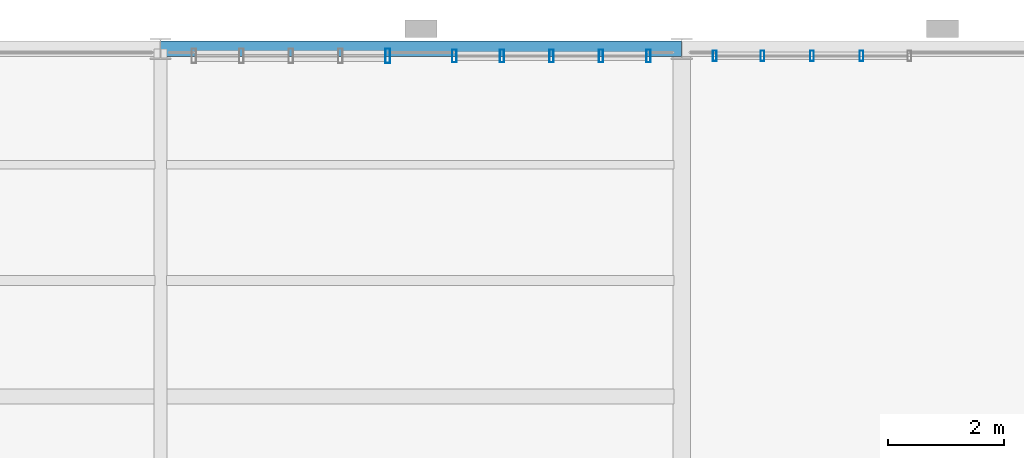
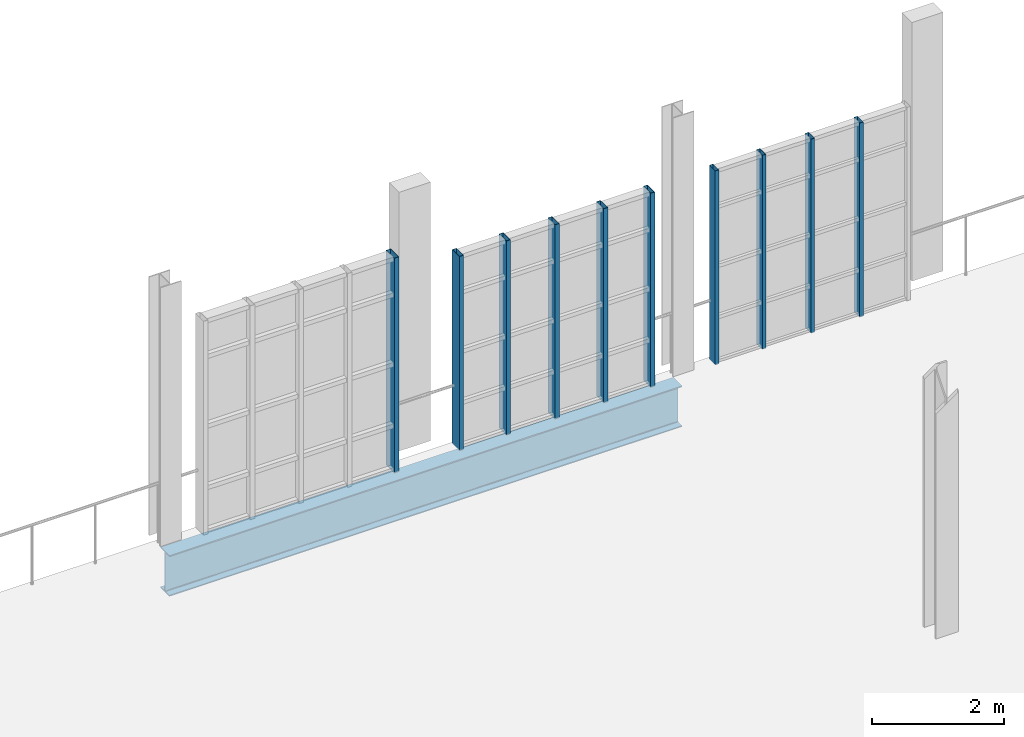
# One storey, part 52 of 122: 10 members, 1 beam, 3 elements without a shape of their own.
"""IFC4 building model written with IfcOpenShell, lengths in metres."""

import ifcopenshell
import ifcopenshell.guid

model = None  # the IFC model being written
_history = None  # IfcOwnerHistory: only IFC2X3 demands one
_inside = {}  # id of a spatial element -> (the spatial element, [elements in it])
_under = {}  # id of a project, library or spatial element -> (it, [spatial elements below it])
_declared = {}  # id of a project -> (the project, [libraries it declares])
_typed = {}  # id of a type object -> (the type object, [elements of that type])
_made_of = {}  # id of a material, layer set ... -> (it, [elements and type objects made of it])


def new_model(schema):
    """Start an empty IFC model of exactly this schema.

    Asked for "IFC4X3", IfcOpenShell would pick the latest addendum, in which some entities
    have other attributes; the version numbers below select the first issue.
    IFC2X3 requires an IfcOwnerHistory on every rooted entity: one is made here for all.
    """
    global model, _history
    if schema == "IFC4X3":
        model = ifcopenshell.file(schema_version=(4, 3, 0, 0))
    else:
        model = ifcopenshell.file(schema=schema)
    _inside.clear()
    _under.clear()
    _declared.clear()
    _typed.clear()
    _made_of.clear()
    _history = None
    if model.schema == "IFC2X3":
        org = make("IfcOrganization", Name="unknown")
        user = make(
            "IfcPersonAndOrganization",
            ThePerson=make("IfcPerson", FamilyName="unknown"),
            TheOrganization=org,
        )
        app = make(
            "IfcApplication",
            ApplicationDeveloper=org,
            Version="unknown",
            ApplicationFullName="unknown",
            ApplicationIdentifier="unknown",
        )
        _history = make(
            "IfcOwnerHistory",
            OwningUser=user,
            OwningApplication=app,
            ChangeAction="ADDED",
            CreationDate=0,
        )
    return model


def make(cls, **values):
    """One entity of the class cls with the attributes given. An attribute that is None is left unset."""
    return model.create_entity(
        cls, **{name: value for name, value in values.items() if value is not None}
    )


def rooted(cls, **values):
    """An entity with a GlobalId (a new one), such as an element, a storey or a relation."""
    return make(cls, GlobalId=ifcopenshell.guid.new(), OwnerHistory=_history, **values)


def si_unit(unit_type, name, prefix=None):
    """IfcSIUnit, for example si_unit("LENGTHUNIT", "METRE", prefix="MILLI")."""
    return make("IfcSIUnit", UnitType=unit_type, Prefix=prefix, Name=name)


def assignment(units):
    """IfcUnitAssignment: the units of a project."""
    return None if units is None else make("IfcUnitAssignment", Units=units)


def point(xyz):
    """IfcCartesianPoint."""
    return None if xyz is None else make("IfcCartesianPoint", Coordinates=xyz)


def direction(xyz):
    """IfcDirection."""
    return None if xyz is None else make("IfcDirection", DirectionRatios=xyz)


def frame(location, z_axis=None, x_axis=None):
    """IfcAxis2Placement3D, a coordinate frame: its origin and axes. An axis left out is left unset."""
    return make(
        "IfcAxis2Placement3D",
        Location=point(location),
        Axis=direction(z_axis),
        RefDirection=direction(x_axis),
    )


def frame_2d(location, x_axis=None):
    """IfcAxis2Placement2D, a coordinate frame in the plane: its origin and x axis."""
    return make(
        "IfcAxis2Placement2D", Location=point(location), RefDirection=direction(x_axis)
    )


def origin():
    """The frame at (0, 0, 0) with its axes left unset."""
    return frame((0.0, 0.0, 0.0))


def origin_2d():
    """The frame at (0, 0) in the plane with its x axis left unset."""
    return frame_2d((0.0, 0.0))


def place(relative_to, where):
    """IfcLocalPlacement: puts the frame where relative to a parent placement (None: the world)."""
    return make(
        "IfcLocalPlacement", PlacementRelTo=relative_to, RelativePlacement=where
    )


def context(
    kind, dimensions, precision=None, world=None, true_north=None, identifier=None
):
    """IfcGeometricRepresentationContext, for example the 3D "Model" context."""
    return make(
        "IfcGeometricRepresentationContext",
        ContextIdentifier=identifier,
        ContextType=kind,
        CoordinateSpaceDimension=dimensions,
        Precision=precision,
        WorldCoordinateSystem=world,
        TrueNorth=true_north,
    )


def subcontext(parent, identifier, kind, view, scale=None):
    """IfcGeometricRepresentationSubContext, for example "Body" below "Model"."""
    return make(
        "IfcGeometricRepresentationSubContext",
        ContextIdentifier=identifier,
        ContextType=kind,
        ParentContext=parent,
        TargetScale=scale,
        TargetView=view,
    )


def project(units=None, contexts=None):
    """IfcProject with its units and contexts."""
    return rooted(
        "IfcProject",
        Name="project",
        RepresentationContexts=contexts,
        UnitsInContext=assignment(units),
    )


def spatial(cls, under=None, at=None, **own):
    """A site, building, storey or space (cls), placed at a placement, below another one or the project."""
    s = rooted(cls, ObjectPlacement=at, **own)
    if under is not None:
        _under.setdefault(under.id(), (under, []))[1].append(s)
    return s


def profile(cls, at=None, kind="AREA", **sizes):
    """A parametric profile (cls). Its sizes go by their IFC names, for example OverallWidth=200.0."""
    return make(cls, ProfileType=kind, Position=at, **sizes)


def hollow_rectangle(**sizes):
    """IfcRectangleHollowProfileDef."""
    return profile("IfcRectangleHollowProfileDef", **sizes)


def i_section(**sizes):
    """IfcIShapeProfileDef."""
    return profile("IfcIShapeProfileDef", **sizes)


def extrude(swept, where, along, depth):
    """IfcExtrudedAreaSolid: the profile swept, set in the frame where, extruded along a direction by depth."""
    return make(
        "IfcExtrudedAreaSolid",
        SweptArea=swept,
        Position=where,
        ExtrudedDirection=direction(along),
        Depth=depth,
    )


def shape(context_of_items, identifier, shape_type, items):
    """IfcShapeRepresentation: the items that make up one representation, for example the "Body"."""
    return make(
        "IfcShapeRepresentation",
        ContextOfItems=context_of_items,
        RepresentationIdentifier=identifier,
        RepresentationType=shape_type,
        Items=items,
    )


def material(Name=None, Category=None):
    """IfcMaterial."""
    return make("IfcMaterial", Name=Name, Category=Category)


def layer(
    of_material, thickness, ventilated=None, Name=None, Category=None, Priority=None
):
    """IfcMaterialLayer: one layer of a wall or slab, of a material (None: an air gap)."""
    return make(
        "IfcMaterialLayer",
        Material=of_material,
        LayerThickness=thickness,
        IsVentilated=ventilated,
        Name=Name,
        Category=Category,
        Priority=Priority,
    )


def layer_set(layers, Name=None):
    """IfcMaterialLayerSet."""
    return make("IfcMaterialLayerSet", MaterialLayers=layers, LayerSetName=Name)


def material_profile(
    of_material, cross_section, Name=None, Category=None, Priority=None
):
    """IfcMaterialProfile: a cross section and its material."""
    return make(
        "IfcMaterialProfile",
        Name=Name,
        Material=of_material,
        Profile=cross_section,
        Priority=Priority,
        Category=Category,
    )


def profile_set(profiles, Name=None, composite=None):
    """IfcMaterialProfileSet."""
    return make(
        "IfcMaterialProfileSet",
        Name=Name,
        MaterialProfiles=profiles,
        CompositeProfile=composite,
    )


def made_of(thing, what):
    """Note that an element or type object is made of a material, layer set ...; save() writes the relation."""
    if what is not None:
        _made_of.setdefault(what.id(), (what, []))[1].append(thing)
    return thing


def type_object(cls, material=None, **own):
    """A type object (cls), such as IfcWallType, which elements share."""
    return made_of(rooted(cls, **own), material)


def element(
    cls,
    number,
    at=None,
    inside=None,
    cuts=None,
    type_object=None,
    material=None,
    context=None,
    identifier="Body",
    shape_type=None,
    held_by="IfcProductDefinitionShape",
    body=None,
    shapes=None,
    **own,
):
    """One element of the class cls, such as IfcWall. Its Tag is "e" and its number.

    at: its placement. inside: the storey or other place that contains it. cuts: it is an
    opening in that element (IfcRelVoidsElement). A single representation is given by context,
    identifier, shape_type and body (its items); several are given by shapes. held_by: the class
    of the entity that holds the representations. save() writes the other relations.
    """
    e = rooted(cls, Tag="e%d" % number, ObjectPlacement=at, **own)
    if body is not None:
        shapes = [shape(context, identifier, shape_type, body)]
    if shapes is not None:
        e.Representation = make(held_by, Representations=shapes)
    if inside is not None:
        _inside.setdefault(inside.id(), (inside, []))[1].append(e)
    if cuts is not None:
        rooted(
            "IfcRelVoidsElement", RelatingBuildingElement=cuts, RelatedOpeningElement=e
        )
    if type_object is not None:
        _typed.setdefault(type_object.id(), (type_object, []))[1].append(e)
    return made_of(e, material)


def aggregate(whole, parts):
    """IfcRelAggregates: a whole, such as a stair, and the parts it consists of."""
    return rooted("IfcRelAggregates", RelatingObject=whole, RelatedObjects=parts)


def save(model, path):
    """Write the relations noted so far, then the file.

    IfcRelAggregates (storeys below a building ...), IfcRelContainedInSpatialStructure (elements
    in a storey), IfcRelDefinesByType, IfcRelAssociatesMaterial and IfcRelDeclares: one each for
    every whole, place, type object, material and project.
    """
    for whole, parts in _under.values():
        aggregate(whole, parts)
    for where, things in _inside.values():
        rooted(
            "IfcRelContainedInSpatialStructure",
            RelatedElements=things,
            RelatingStructure=where,
        )
    for kind, things in _typed.values():
        rooted("IfcRelDefinesByType", RelatedObjects=things, RelatingType=kind)
    for what, things in _made_of.values():
        rooted("IfcRelAssociatesMaterial", RelatedObjects=things, RelatingMaterial=what)
    for by, libraries in _declared.values():
        rooted("IfcRelDeclares", RelatingContext=by, RelatedDefinitions=libraries)
    model.write(path)


model = new_model("IFC4")

# Units and contexts
model_context = context("Model", 3, precision=1e-05, world=origin(), true_north=direction((0.0, 1.0)))
body_context = subcontext(model_context, "Body", "Model", "MODEL_VIEW")
ifc_project = project(units=[si_unit("LENGTHUNIT", "METRE"), si_unit("AREAUNIT", "SQUARE_METRE"), si_unit("VOLUMEUNIT", "CUBIC_METRE"), si_unit("PLANEANGLEUNIT", "RADIAN"), si_unit("MASSUNIT", "GRAM", prefix="KILO"), si_unit("THERMODYNAMICTEMPERATUREUNIT", "KELVIN"), si_unit("POWERUNIT", "WATT")], contexts=[model_context])

# Site, building, storey
site_placement = place(None, origin())
site = spatial("IfcSite", under=ifc_project, at=site_placement, CompositionType="ELEMENT")
building_placement = place(site_placement, origin())
building = spatial("IfcBuilding", under=site, at=building_placement, Name="Zelmaris Science Centre", CompositionType="ELEMENT")
storey_placement = place(building_placement, frame((0.0, 0.0, 10.800048828125)))
storey = spatial("IfcBuildingStorey", under=building, at=storey_placement, Name="L02", CompositionType="ELEMENT", Elevation=10.800048828125)

# Curtain wall, members
ifc_material_1 = material(Name="Anodised architectural aluminium 6063-T6", Category="aluminium")
ifc_layer_1 = layer(ifc_material_1, 0.2099609375, Name="Anodised architectural aluminium 6063-T6")
ifc_layer_set_1 = layer_set([ifc_layer_1], Name="Anodised architectural aluminium 6063-T6")
curtain_wall_type_1 = type_object("IfcCurtainWallType", Name="Curtain Wall CW-03", PredefinedType="USERDEFINED", material=ifc_layer_set_1)
curtain_wall_1_placement = place(storey_placement, origin())
curtain_wall_1 = element("IfcCurtainWall", 1, at=curtain_wall_1_placement, inside=storey, type_object=curtain_wall_type_1, Name="L02 Unitised curtain wall 215", ObjectType="GLAZED CURTAIN WALL", PredefinedType="USERDEFINED")
ifc_material_profile_1 = material_profile(ifc_material_1, hollow_rectangle(XDim=0.06494140625, YDim=0.179931640625, WallThickness=0.00390625, at=origin_2d()), Name="ALU-MUL-65X180")
ifc_profile_set_1 = profile_set([ifc_material_profile_1], Name="Anodised architectural aluminium 6063-T6")
member_type_1 = type_object("IfcMemberType", Name="ALU-MUL-65X180", PredefinedType="MULLION", material=ifc_profile_set_1)
member_1_placement = place(storey_placement, frame((99.568603515625, 87.8798828125, -0.01513671875), z_axis=(0.0, 0.0, 1.0), x_axis=(1.0, 0.0, 0.0)))
member_1 = element("IfcMember", 2, at=member_1_placement, type_object=member_type_1, Name="CW-03 mullion 1", PredefinedType="MULLION", context=body_context, shape_type="SweptSolid", body=[
    extrude(hollow_rectangle(XDim=0.06494140625, YDim=0.179931640625, WallThickness=0.00390625, at=origin_2d()), origin(), (0.0, 0.0, 1.0), 3.60107421875),
])
member_2_placement = place(storey_placement, frame((100.39501953125, 87.8798828125, -0.01513671875), z_axis=(0.0, 0.0, 1.0), x_axis=(1.0, 0.0, 0.0)))
member_2 = element("IfcMember", 3, at=member_2_placement, type_object=member_type_1, Name="CW-03 mullion 2", PredefinedType="MULLION", context=body_context, shape_type="SweptSolid", body=[
    extrude(hollow_rectangle(XDim=0.06494140625, YDim=0.179931640625, WallThickness=0.00390625, at=origin_2d()), origin(), (0.0, 0.0, 1.0), 3.60107421875),
])
member_3_placement = place(storey_placement, frame((101.25, 87.8798828125, -0.01513671875), z_axis=(0.0, 0.0, 1.0), x_axis=(1.0, 0.0, 0.0)))
member_3 = element("IfcMember", 4, at=member_3_placement, type_object=member_type_1, Name="CW-03 mullion 3", PredefinedType="MULLION", context=body_context, shape_type="SweptSolid", body=[
    extrude(hollow_rectangle(XDim=0.06494140625, YDim=0.179931640625, WallThickness=0.00390625, at=origin_2d()), origin(), (0.0, 0.0, 1.0), 3.60107421875),
])
member_4_placement = place(storey_placement, frame((102.10498046875, 87.8798828125, -0.01513671875), z_axis=(0.0, 0.0, 1.0), x_axis=(1.0, 0.0, 0.0)))
member_4 = element("IfcMember", 5, at=member_4_placement, type_object=member_type_1, Name="CW-03 mullion 4", PredefinedType="MULLION", context=body_context, shape_type="SweptSolid", body=[
    extrude(hollow_rectangle(XDim=0.06494140625, YDim=0.179931640625, WallThickness=0.00390625, at=origin_2d()), origin(), (0.0, 0.0, 1.0), 3.60107421875),
])
aggregate(curtain_wall_1, [member_1, member_2, member_3, member_4])

ifc_layer_2 = layer(ifc_material_1, 0.199951171875, Name="Anodised architectural aluminium 6063-T6")
ifc_layer_set_2 = layer_set([ifc_layer_2], Name="Anodised architectural aluminium 6063-T6")
curtain_wall_type_2 = type_object("IfcCurtainWallType", Name="Curtain Wall CW-02", PredefinedType="USERDEFINED", material=ifc_layer_set_2)
curtain_wall_2_placement = place(storey_placement, origin())
curtain_wall_2 = element("IfcCurtainWall", 6, at=curtain_wall_2_placement, inside=storey, type_object=curtain_wall_type_2, Name="L02 Unitised curtain wall 214", ObjectType="GLAZED CURTAIN WALL", PredefinedType="USERDEFINED")
ifc_material_profile_2 = material_profile(ifc_material_1, hollow_rectangle(XDim=0.074951171875, YDim=0.219970703125, WallThickness=0.0048828125, at=origin_2d()), Name="ALU-MUL-75X220")
ifc_profile_set_2 = profile_set([ifc_material_profile_2], Name="Anodised architectural aluminium 6063-T6")
member_type_2 = type_object("IfcMemberType", Name="ALU-MUL-75X220", PredefinedType="MULLION", material=ifc_profile_set_2)
member_5_placement = place(storey_placement, frame((95.073486328125, 87.8798828125, -0.01513671875), z_axis=(0.0, 0.0, 1.0), x_axis=(1.0, 0.0, 0.0)))
member_5 = element("IfcMember", 7, at=member_5_placement, type_object=member_type_2, Name="CW-02 mullion 1", PredefinedType="MULLION", context=body_context, shape_type="SweptSolid", body=[
    extrude(hollow_rectangle(XDim=0.074951171875, YDim=0.219970703125, WallThickness=0.0048828125, at=origin_2d()), origin(), (0.0, 0.0, 1.0), 3.60107421875),
])
member_6_placement = place(storey_placement, frame((95.89501953125, 87.8798828125, -0.01513671875), z_axis=(0.0, 0.0, 1.0), x_axis=(1.0, 0.0, 0.0)))
member_6 = element("IfcMember", 8, at=member_6_placement, type_object=member_type_2, Name="CW-02 mullion 2", PredefinedType="MULLION", context=body_context, shape_type="SweptSolid", body=[
    extrude(hollow_rectangle(XDim=0.074951171875, YDim=0.219970703125, WallThickness=0.0048828125, at=origin_2d()), origin(), (0.0, 0.0, 1.0), 3.60107421875),
])
member_7_placement = place(storey_placement, frame((96.75, 87.8798828125, -0.01513671875), z_axis=(0.0, 0.0, 1.0), x_axis=(1.0, 0.0, 0.0)))
member_7 = element("IfcMember", 9, at=member_7_placement, type_object=member_type_2, Name="CW-02 mullion 3", PredefinedType="MULLION", context=body_context, shape_type="SweptSolid", body=[
    extrude(hollow_rectangle(XDim=0.074951171875, YDim=0.219970703125, WallThickness=0.0048828125, at=origin_2d()), origin(), (0.0, 0.0, 1.0), 3.60107421875),
])
member_8_placement = place(storey_placement, frame((97.60498046875, 87.8798828125, -0.01513671875), z_axis=(0.0, 0.0, 1.0), x_axis=(1.0, 0.0, 0.0)))
member_8 = element("IfcMember", 10, at=member_8_placement, type_object=member_type_2, Name="CW-02 mullion 4", PredefinedType="MULLION", context=body_context, shape_type="SweptSolid", body=[
    extrude(hollow_rectangle(XDim=0.074951171875, YDim=0.219970703125, WallThickness=0.0048828125, at=origin_2d()), origin(), (0.0, 0.0, 1.0), 3.60107421875),
])
member_9_placement = place(storey_placement, frame((98.426513671875, 87.8798828125, -0.01513671875), z_axis=(0.0, 0.0, 1.0), x_axis=(1.0, 0.0, 0.0)))
member_9 = element("IfcMember", 11, at=member_9_placement, type_object=member_type_2, Name="CW-02 mullion 5", PredefinedType="MULLION", context=body_context, shape_type="SweptSolid", body=[
    extrude(hollow_rectangle(XDim=0.074951171875, YDim=0.219970703125, WallThickness=0.0048828125, at=origin_2d()), origin(), (0.0, 0.0, 1.0), 3.60107421875),
])
aggregate(curtain_wall_2, [member_5, member_6, member_7, member_8, member_9])

# Curtain wall, member
ifc_layer_3 = layer(ifc_material_1, 0.18994140625, Name="Anodised architectural aluminium 6063-T6")
ifc_layer_set_3 = layer_set([ifc_layer_3], Name="Anodised architectural aluminium 6063-T6")
curtain_wall_type_3 = type_object("IfcCurtainWallType", Name="Curtain Wall CW-01", PredefinedType="USERDEFINED", material=ifc_layer_set_3)
curtain_wall_3_placement = place(storey_placement, origin())
curtain_wall_3 = element("IfcCurtainWall", 12, at=curtain_wall_3_placement, inside=storey, type_object=curtain_wall_type_3, Name="L02 Unitised curtain wall 213", ObjectType="GLAZED CURTAIN WALL", PredefinedType="USERDEFINED")
ifc_material_profile_3 = material_profile(ifc_material_1, hollow_rectangle(XDim=0.080078125, YDim=0.25, WallThickness=0.0048828125, at=origin_2d()), Name="ALU-MUL-80X250")
ifc_profile_set_3 = profile_set([ifc_material_profile_3], Name="Anodised architectural aluminium 6063-T6")
member_type_3 = type_object("IfcMemberType", Name="ALU-MUL-80X250", PredefinedType="MULLION", material=ifc_profile_set_3)
member_10_placement = place(storey_placement, frame((93.924072265625, 87.8798828125, -0.01513671875), z_axis=(0.0, 0.0, 1.0), x_axis=(1.0, 0.0, 0.0)))
member_10 = element("IfcMember", 13, at=member_10_placement, type_object=member_type_3, Name="CW-01 mullion 5", PredefinedType="MULLION", context=body_context, shape_type="SweptSolid", body=[
    extrude(hollow_rectangle(XDim=0.080078125, YDim=0.25, WallThickness=0.0048828125, at=origin_2d()), origin(), (0.0, 0.0, 1.0), 3.982177734375),
])
aggregate(curtain_wall_3, [member_10])

# Beam
ifc_material_2 = material(Name="Steel ASTM A992 Grade 50", Category="steel")
ifc_material_profile_4 = material_profile(ifc_material_2, i_section(OverallWidth=0.26708984375, OverallDepth=0.757080078125, WebThickness=0.013916015625, FlangeThickness=0.019287109375, FilletRadius=0.01904296875, at=origin_2d()), Name="W30X108")
ifc_profile_set_4 = profile_set([ifc_material_profile_4], Name="Steel ASTM A992 Grade 50")
beam_type = type_object("IfcBeamType", Name="Beam G-10 W30X108", PredefinedType="BEAM", material=ifc_profile_set_4)
beam_placement = place(storey_placement, frame((90.0, 88.0, -0.638427734375), z_axis=(1.0, 0.0, 0.0), x_axis=(0.0, 1.0, 0.0)))
element("IfcBeam", 14, at=beam_placement, inside=storey, type_object=beam_type, Name="L02 East-west girder 594", PredefinedType="BEAM", context=body_context, shape_type="SweptSolid", body=[
    extrude(i_section(OverallWidth=0.26708984375, OverallDepth=0.757080078125, WebThickness=0.013916015625, FlangeThickness=0.019287109375, FilletRadius=0.01904296875, at=origin_2d()), origin(), (0.0, 0.0, 1.0), 9.0),
])

save(model, "model.ifc")
